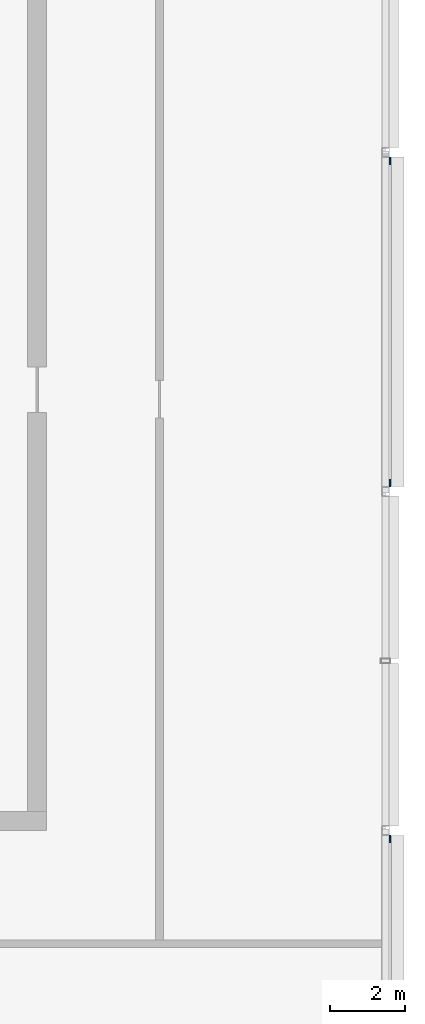
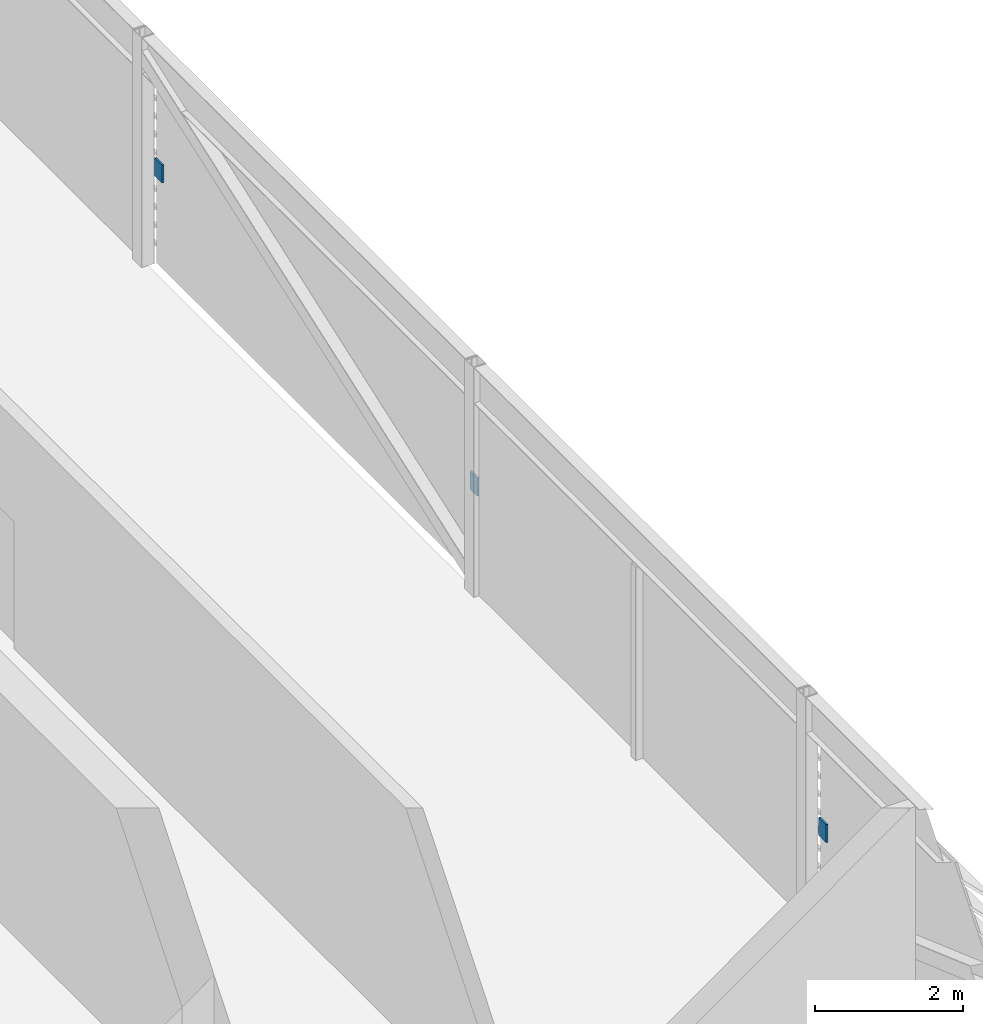
# One storey, part 22 of 28: 3 discrete accessories.
"""IFC4 building model written with IfcOpenShell, lengths in metres."""

from ifc_helpers import new_model, si_unit, direction, frame, origin, origin_2d, place, context, subcontext, project, spatial, rectangle, extrude, material, type_object, element, save


model = new_model("IFC4")

# Units and contexts
model_context = context("Model", 3, precision=1e-05, world=origin(), true_north=direction((0.0, 1.0)))
body_context = subcontext(model_context, "Body", "Model", "MODEL_VIEW")
ifc_project = project(units=[si_unit("LENGTHUNIT", "METRE"), si_unit("AREAUNIT", "SQUARE_METRE"), si_unit("VOLUMEUNIT", "CUBIC_METRE"), si_unit("PLANEANGLEUNIT", "RADIAN"), si_unit("MASSUNIT", "GRAM", prefix="KILO")], contexts=[model_context])

# Site, building, storey
site_placement = place(None, origin())
site = spatial("IfcSite", under=ifc_project, at=site_placement, CompositionType="ELEMENT")
building_placement = place(site_placement, origin())
building = spatial("IfcBuilding", under=site, at=building_placement, Name="Madar Terraces", CompositionType="ELEMENT")
storey_placement = place(building_placement, frame((0.0, 0.0, 310.10009765625)))
storey = spatial("IfcBuildingStorey", under=building, at=storey_placement, Name="L80", CompositionType="ELEMENT", Elevation=310.10009765625)

# Discrete accessories
ifc_material = material(Name="Steel, galvanised", Category="steel")
discrete_accessory_type = type_object("IfcDiscreteAccessoryType", Name="Louvre bank bracket", PredefinedType="BRACKET", material=ifc_material)
for number, where, z_axis, x_axis, name in (
    (1, (56.5166015625, 14.77294921875, 1.44873046875), (0.0, 0.0, 1.0), (0.0, 1.0, 0.0), "Louvre bank bracket"),
    (2, (56.5166015625, 24.22705078125, 1.44873046875), (0.0, 0.0, 1.0), (0.0, 1.0, 0.0), "Louvre bank bracket"),
    (3, (56.5166015625, 32.77294921875, 1.44873046875), (0.0, 0.0, 1.0), (0.0, 1.0, 0.0), "Louvre bank bracket"),
):
    element("IfcDiscreteAccessory", number, at=place(storey_placement, frame(where, z_axis=z_axis, x_axis=x_axis)), inside=storey, type_object=discrete_accessory_type, Name=name, PredefinedType="BRACKET", context=body_context, shape_type="SweptSolid", body=[
        extrude(rectangle(XDim=0.199951171875, YDim=0.030029296875, at=origin_2d()), origin(), (0.0, 0.0, 1.0), 0.300048828125),
    ])

save(model, "model.ifc")
